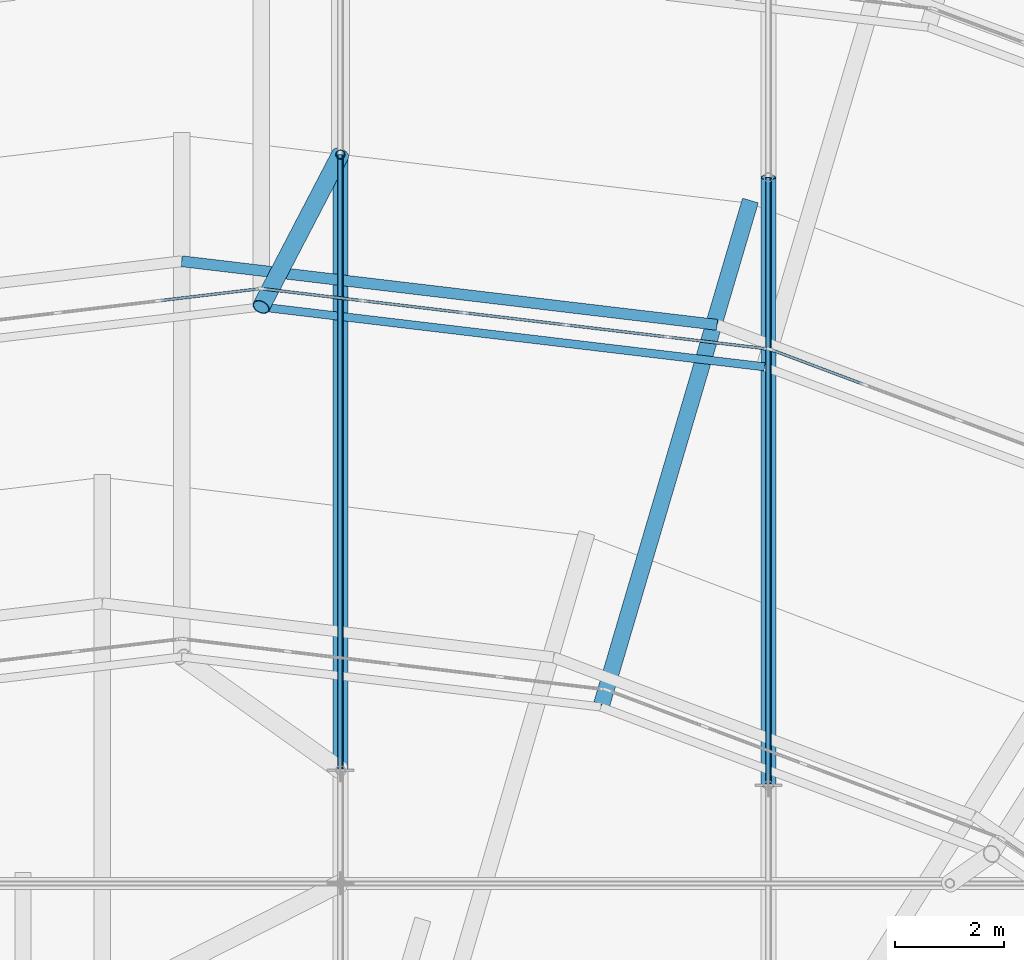
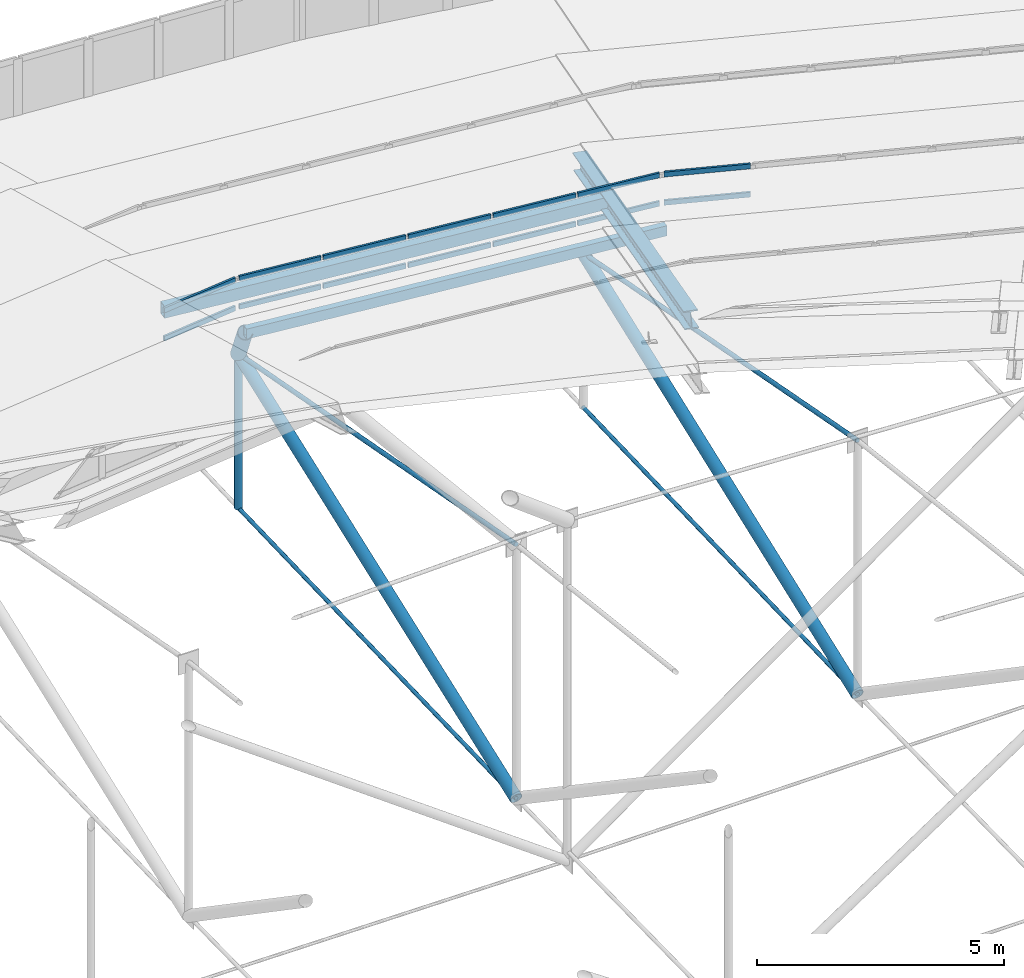
# One storey, part 112 of 173: 25 members, 3 elements without a shape of their own.
"""IFC4 building model written with IfcOpenShell, lengths in metres."""

from ifc_helpers import new_model, si_unit, direction, frame, origin, origin_2d, place, context, subcontext, project, spatial, rectangle, hollow_rectangle, circle, hollow_circle, i_section, extrude, material, material_profile, profile_set, type_object, element, aggregate, save


model = new_model("IFC4")

# Units and contexts
model_context = context("Model", 3, precision=1e-05, world=origin(), true_north=direction((0.0, 1.0)))
body_context = subcontext(model_context, "Body", "Model", "MODEL_VIEW")
ifc_project = project(units=[si_unit("LENGTHUNIT", "METRE"), si_unit("AREAUNIT", "SQUARE_METRE"), si_unit("VOLUMEUNIT", "CUBIC_METRE"), si_unit("PLANEANGLEUNIT", "RADIAN"), si_unit("MASSUNIT", "GRAM", prefix="KILO")], contexts=[model_context])

# Site, building, storey
site_placement = place(None, origin())
site = spatial("IfcSite", under=ifc_project, at=site_placement, CompositionType="ELEMENT")
building_placement = place(site_placement, origin())
building = spatial("IfcBuilding", under=site, at=building_placement, Name="Glasvene Arena", CompositionType="ELEMENT")
storey_placement = place(building_placement, frame((0.0, 0.0, 28.800048828125)))
storey = spatial("IfcBuildingStorey", under=building, at=storey_placement, Name="RF", CompositionType="ELEMENT", Elevation=28.800048828125)

# Curtain wall, members
ifc_material_1 = material(Name="Low-emissivity laminated double glazing", Category="glass")
curtain_wall_type_1 = type_object("IfcCurtainWallType", Name="CW-PET2-925x75", PredefinedType="USERDEFINED", material=ifc_material_1)
curtain_wall_1_placement = place(storey_placement, frame((108.5, 99.952392578125, 0.0)))
curtain_wall_1 = element("IfcCurtainWall", 1, at=curtain_wall_1_placement, inside=storey, type_object=curtain_wall_type_1, Name="Petal ring 2-3 clerestory curtain wall 05", ObjectType="CURTAIN WALL", PredefinedType="USERDEFINED")
ifc_material_2 = material(Name="Anodised architectural aluminium", Category="aluminium")
ifc_material_profile_1 = material_profile(ifc_material_2, rectangle(XDim=0.050048828125, YDim=0.1201171875, at=origin_2d()), Name="ALU TRANSOM 50x120")
ifc_profile_set_1 = profile_set([ifc_material_profile_1], Name="Anodised architectural aluminium")
member_type_1 = type_object("IfcMemberType", Name="CW-TRN-120", PredefinedType="USERDEFINED", material=ifc_profile_set_1)
member_1_placement = place(storey_placement, frame((101.5498046875, 102.5546875, 5.204833984375), z_axis=(-0.936504385007, 0.350655866715, 0.0), x_axis=(-0.350655866715, -0.936504385007, 0.0)))
member_1 = element("IfcMember", 2, at=member_1_placement, type_object=member_type_1, Name="CW-091 transom 5.1", ObjectType="TRANSOM", PredefinedType="USERDEFINED", context=body_context, shape_type="SweptSolid", body=[
    extrude(rectangle(XDim=0.050048828125, YDim=0.1201171875, at=origin_2d()), origin(), (0.0, 0.0, 1.0), 1.77392578125),
])
member_2_placement = place(storey_placement, frame((101.5498046875, 102.5546875, 5.905029296875), z_axis=(-0.936504385007, 0.350655866715, 0.0), x_axis=(-0.350655866715, -0.936504385007, 0.0)))
member_2 = element("IfcMember", 3, at=member_2_placement, type_object=member_type_1, Name="CW-091 transom 5.2", ObjectType="TRANSOM", PredefinedType="USERDEFINED", context=body_context, shape_type="SweptSolid", body=[
    extrude(rectangle(XDim=0.050048828125, YDim=0.1201171875, at=origin_2d()), origin(), (0.0, 0.0, 1.0), 1.77392578125),
])
aggregate(curtain_wall_1, [member_1, member_2])

curtain_wall_type_2 = type_object("IfcCurtainWallType", Name="CW-PET2-936x75", PredefinedType="USERDEFINED", material=ifc_material_1)
curtain_wall_2_placement = place(storey_placement, frame((99.841552734375, 103.1943359375, 0.0)))
curtain_wall_2 = element("IfcCurtainWall", 4, at=curtain_wall_2_placement, inside=storey, type_object=curtain_wall_type_2, Name="Petal ring 2-3 clerestory curtain wall 06", ObjectType="CURTAIN WALL", PredefinedType="USERDEFINED")
member_3_placement = place(storey_placement, frame((99.7919921875, 103.2001953125, 5.204833984375), z_axis=(-0.992986375028, 0.118228841696, 0.0), x_axis=(-0.118228841696, -0.992986375028, 0.0)))
member_3 = element("IfcMember", 5, at=member_3_placement, type_object=member_type_1, Name="CW-092 transom 1.1", ObjectType="TRANSOM", PredefinedType="USERDEFINED", context=body_context, shape_type="SweptSolid", body=[
    extrude(rectangle(XDim=0.050048828125, YDim=0.1201171875, at=origin_2d()), origin(), (0.0, 0.0, 1.0), 1.796630859375),
])
member_4_placement = place(storey_placement, frame((99.7919921875, 103.2001953125, 5.905029296875), z_axis=(-0.992986375028, 0.118228841696, 0.0), x_axis=(-0.118228841696, -0.992986375028, 0.0)))
member_4 = element("IfcMember", 6, at=member_4_placement, type_object=member_type_1, Name="CW-092 transom 1.2", ObjectType="TRANSOM", PredefinedType="USERDEFINED", context=body_context, shape_type="SweptSolid", body=[
    extrude(rectangle(XDim=0.050048828125, YDim=0.1201171875, at=origin_2d()), origin(), (0.0, 0.0, 1.0), 1.796630859375),
])
member_5_placement = place(storey_placement, frame((97.95849609375, 103.41845703125, 5.204833984375), z_axis=(-0.993002503147, 0.118093305247, 0.0), x_axis=(-0.118093305247, -0.993002503147, 0.0)))
member_5 = element("IfcMember", 7, at=member_5_placement, type_object=member_type_1, Name="CW-092 transom 2.1", ObjectType="TRANSOM", PredefinedType="USERDEFINED", context=body_context, shape_type="SweptSolid", body=[
    extrude(rectangle(XDim=0.050048828125, YDim=0.1201171875, at=origin_2d()), origin(), (0.0, 0.0, 1.0), 1.8212890625),
])
member_6_placement = place(storey_placement, frame((97.95849609375, 103.41845703125, 5.905029296875), z_axis=(-0.993002503147, 0.118093305247, 0.0), x_axis=(-0.118093305247, -0.993002503147, 0.0)))
member_6 = element("IfcMember", 8, at=member_6_placement, type_object=member_type_1, Name="CW-092 transom 2.2", ObjectType="TRANSOM", PredefinedType="USERDEFINED", context=body_context, shape_type="SweptSolid", body=[
    extrude(rectangle(XDim=0.050048828125, YDim=0.1201171875, at=origin_2d()), origin(), (0.0, 0.0, 1.0), 1.8212890625),
])
member_7_placement = place(storey_placement, frame((96.10009765625, 103.6396484375, 5.204833984375), z_axis=(-0.993002503147, 0.118093305247, 0.0), x_axis=(-0.118093305247, -0.993002503147, 0.0)))
member_7 = element("IfcMember", 9, at=member_7_placement, type_object=member_type_1, Name="CW-092 transom 3.1", ObjectType="TRANSOM", PredefinedType="USERDEFINED", context=body_context, shape_type="SweptSolid", body=[
    extrude(rectangle(XDim=0.050048828125, YDim=0.1201171875, at=origin_2d()), origin(), (0.0, 0.0, 1.0), 1.8212890625),
])
member_8_placement = place(storey_placement, frame((96.10009765625, 103.6396484375, 5.905029296875), z_axis=(-0.993002503147, 0.118093305247, 0.0), x_axis=(-0.118093305247, -0.993002503147, 0.0)))
member_8 = element("IfcMember", 10, at=member_8_placement, type_object=member_type_1, Name="CW-092 transom 3.2", ObjectType="TRANSOM", PredefinedType="USERDEFINED", context=body_context, shape_type="SweptSolid", body=[
    extrude(rectangle(XDim=0.050048828125, YDim=0.1201171875, at=origin_2d()), origin(), (0.0, 0.0, 1.0), 1.8212890625),
])
member_9_placement = place(storey_placement, frame((94.24169921875, 103.860595703125, 5.204833984375), z_axis=(-0.992986775597, 0.118225477332, 0.0), x_axis=(-0.118225477332, -0.992986775597, 0.0)))
member_9 = element("IfcMember", 11, at=member_9_placement, type_object=member_type_1, Name="CW-092 transom 4.1", ObjectType="TRANSOM", PredefinedType="USERDEFINED", context=body_context, shape_type="SweptSolid", body=[
    extrude(rectangle(XDim=0.050048828125, YDim=0.1201171875, at=origin_2d()), origin(), (0.0, 0.0, 1.0), 1.8212890625),
])
member_10_placement = place(storey_placement, frame((94.24169921875, 103.860595703125, 5.905029296875), z_axis=(-0.992986775597, 0.118225477332, 0.0), x_axis=(-0.118225477332, -0.992986775597, 0.0)))
member_10 = element("IfcMember", 12, at=member_10_placement, type_object=member_type_1, Name="CW-092 transom 4.2", ObjectType="TRANSOM", PredefinedType="USERDEFINED", context=body_context, shape_type="SweptSolid", body=[
    extrude(rectangle(XDim=0.050048828125, YDim=0.1201171875, at=origin_2d()), origin(), (0.0, 0.0, 1.0), 1.8212890625),
])
member_11_placement = place(storey_placement, frame((92.383544921875, 104.081787109375, 5.204833984375), z_axis=(-0.992986375028, 0.118228841696, 0.0), x_axis=(-0.118228841696, -0.992986375028, 0.0)))
member_11 = element("IfcMember", 13, at=member_11_placement, type_object=member_type_1, Name="CW-092 transom 5.1", ObjectType="TRANSOM", PredefinedType="USERDEFINED", context=body_context, shape_type="SweptSolid", body=[
    extrude(rectangle(XDim=0.050048828125, YDim=0.1201171875, at=origin_2d()), origin(), (0.0, 0.0, 1.0), 1.796630859375),
])
member_12_placement = place(storey_placement, frame((92.383544921875, 104.081787109375, 5.905029296875), z_axis=(-0.992986375028, 0.118228841696, 0.0), x_axis=(-0.118228841696, -0.992986375028, 0.0)))
member_12 = element("IfcMember", 14, at=member_12_placement, type_object=member_type_1, Name="CW-092 transom 5.2", ObjectType="TRANSOM", PredefinedType="USERDEFINED", context=body_context, shape_type="SweptSolid", body=[
    extrude(rectangle(XDim=0.050048828125, YDim=0.1201171875, at=origin_2d()), origin(), (0.0, 0.0, 1.0), 1.796630859375),
])
aggregate(curtain_wall_2, [member_3, member_4, member_5, member_6, member_7, member_8, member_9, member_10, member_11, member_12])

curtain_wall_3_placement = place(storey_placement, frame((90.550048828125, 104.300048828125, 0.0)))
curtain_wall_3 = element("IfcCurtainWall", 15, at=curtain_wall_3_placement, inside=storey, type_object=curtain_wall_type_2, Name="Petal ring 2-3 clerestory curtain wall 07", ObjectType="CURTAIN WALL", PredefinedType="USERDEFINED")
member_13_placement = place(storey_placement, frame((90.500244140625, 104.294189453125, 5.204833984375), z_axis=(-0.992984475092, -0.118244797883, 0.0), x_axis=(0.118244797883, -0.992984475092, 0.0)))
member_13 = element("IfcMember", 16, at=member_13_placement, type_object=member_type_1, Name="CW-092 transom 1.1", ObjectType="TRANSOM", PredefinedType="USERDEFINED", context=body_context, shape_type="SweptSolid", body=[
    extrude(rectangle(XDim=0.050048828125, YDim=0.1201171875, at=origin_2d()), origin(), (0.0, 0.0, 1.0), 1.79638671875),
])
member_14_placement = place(storey_placement, frame((90.500244140625, 104.294189453125, 5.905029296875), z_axis=(-0.992984475092, -0.118244797883, 0.0), x_axis=(0.118244797883, -0.992984475092, 0.0)))
member_14 = element("IfcMember", 17, at=member_14_placement, type_object=member_type_1, Name="CW-092 transom 1.2", ObjectType="TRANSOM", PredefinedType="USERDEFINED", context=body_context, shape_type="SweptSolid", body=[
    extrude(rectangle(XDim=0.050048828125, YDim=0.1201171875, at=origin_2d()), origin(), (0.0, 0.0, 1.0), 1.79638671875),
])
aggregate(curtain_wall_3, [member_13, member_14])

# Members
ifc_material_3 = material(Name="High-strength steel spiral strand S460", Category="steel")
ifc_material_profile_2 = material_profile(ifc_material_3, circle(Radius=0.052490234375, at=origin_2d()), Name="LCSS D105")
ifc_profile_set_2 = profile_set([ifc_material_profile_2], Name="High-strength steel spiral strand S460")
member_type_2 = type_object("IfcMemberType", Name="MB-CABLE-105", PredefinedType="USERDEFINED", material=ifc_profile_set_2)
member_15_placement = place(storey_placement, frame((99.82177734375, 95.222900390625, 4.1669921875), z_axis=(0.0, 0.982509343257, -0.186213292794), x_axis=(-1.0, 0.0, 0.0)))
element("IfcMember", 18, at=member_15_placement, inside=storey, type_object=member_type_2, Name="Upper lens roof cable NS04-07", ObjectType="ROOF CABLE", PredefinedType="USERDEFINED", context=body_context, shape_type="SweptSolid", body=[
    extrude(circle(Radius=0.052490234375, at=origin_2d()), origin(), (0.0, 0.0, 1.0), 11.309326171875),
])
member_16_placement = place(storey_placement, frame((92.0, 95.5, 4.1669921875), z_axis=(0.0, 0.982926236449, -0.184000037231), x_axis=(-1.0, 0.0, 0.0)))
element("IfcMember", 19, at=member_16_placement, inside=storey, type_object=member_type_2, Name="Upper lens roof cable NS05-07", ObjectType="ROOF CABLE", PredefinedType="USERDEFINED", context=body_context, shape_type="SweptSolid", body=[
    extrude(circle(Radius=0.052490234375, at=origin_2d()), origin(), (0.0, 0.0, 1.0), 11.4453125),
])
ifc_material_profile_3 = material_profile(ifc_material_3, circle(Radius=0.044921875, at=origin_2d()), Name="LCSS D90")
ifc_profile_set_3 = profile_set([ifc_material_profile_3], Name="High-strength steel spiral strand S460")
member_type_3 = type_object("IfcMemberType", Name="MB-CABLE-90", PredefinedType="USERDEFINED", material=ifc_profile_set_3)
member_17_placement = place(storey_placement, frame((99.82177734375, 95.222900390625, -2.112548828125), z_axis=(0.0, 0.999477394294, 0.032325505337), x_axis=(-1.0, 0.0, 0.0)))
element("IfcMember", 20, at=member_17_placement, inside=storey, type_object=member_type_3, Name="Lower stabilization roof cable NS04-07", ObjectType="ROOF CABLE", PredefinedType="USERDEFINED", context=body_context, shape_type="SweptSolid", body=[
    extrude(circle(Radius=0.044921875, at=origin_2d()), origin(), (0.0, 0.0, 1.0), 11.117431640625),
])
member_18_placement = place(storey_placement, frame((92.0, 95.5, -2.112548828125), z_axis=(0.0, 0.999490166395, 0.031928158093), x_axis=(-1.0, 0.0, 0.0)))
element("IfcMember", 21, at=member_18_placement, inside=storey, type_object=member_type_3, Name="Lower stabilization roof cable NS05-07", ObjectType="ROOF CABLE", PredefinedType="USERDEFINED", context=body_context, shape_type="SweptSolid", body=[
    extrude(circle(Radius=0.044921875, at=origin_2d()), origin(), (0.0, 0.0, 1.0), 11.255859375),
])
ifc_material_4 = material(Name="Steel S355J2", Category="steel")
ifc_material_profile_4 = material_profile(ifc_material_4, i_section(OverallWidth=0.300048828125, OverallDepth=0.39990234375, WebThickness=0.013427734375, FlangeThickness=0.02392578125, FilletRadius=0.027099609375, at=origin_2d()), Name="HEB 400")
ifc_profile_set_4 = profile_set([ifc_material_profile_4], Name="Steel S355J2")
member_type_4 = type_object("IfcMemberType", Name="MB-CHORD-HEB400", PredefinedType="CHORD", material=ifc_profile_set_4)
member_19_placement = place(storey_placement, frame((99.478515625, 105.859619140625, 4.75), z_axis=(-0.273259819694, -0.925734843306, 0.261426989482), x_axis=(0.959088832468, -0.283105300968, 0.0)))
element("IfcMember", 22, at=member_19_placement, inside=storey, type_object=member_type_4, Name="Petal ring 3 radial rib 06", PredefinedType="CHORD", context=body_context, shape_type="SweptSolid", body=[
    extrude(i_section(OverallWidth=0.300048828125, OverallDepth=0.39990234375, WebThickness=0.013427734375, FlangeThickness=0.02392578125, FilletRadius=0.027099609375, at=origin_2d()), origin(), (0.0, 0.0, 1.0), 9.94482421875),
])
ifc_material_profile_5 = material_profile(ifc_material_4, hollow_circle(Radius=0.161865234375, WallThickness=0.01611328125, at=origin_2d()), Name="CHS 323.9x16.0")
ifc_profile_set_5 = profile_set([ifc_material_profile_5], Name="Steel S355J2")
member_type_5 = type_object("IfcMemberType", Name="MB-POST-CHS324", PredefinedType="BRACE", material=ifc_profile_set_5)
member_20_placement = place(storey_placement, frame((92.0, 106.75, 2.06103515625), z_axis=(-0.348961920206, -0.670366483857, 0.654854453728), x_axis=(0.887015593061, -0.46173946947, 0.0)))
element("IfcMember", 23, at=member_20_placement, inside=storey, type_object=member_type_5, Name="Petal ring 2 ridge support post 07", PredefinedType="BRACE", context=body_context, shape_type="SweptSolid", body=[
    extrude(hollow_circle(Radius=0.161865234375, WallThickness=0.01611328125, at=origin_2d()), origin(), (0.0, 0.0, 1.0), 4.155029296875),
])
ifc_material_profile_6 = material_profile(ifc_material_4, hollow_rectangle(XDim=0.14990234375, YDim=0.25, WallThickness=0.010009765625, at=origin_2d()), Name="RHS 250x150x10.0")
ifc_profile_set_6 = profile_set([ifc_material_profile_6], Name="Steel S355J2")
member_type_6 = type_object("IfcMemberType", Name="MB-PURLIN-RHS250", PredefinedType="PURLIN", material=ifc_profile_set_6)
member_21_placement = place(storey_placement, frame((99.7509765625, 102.870361328125, 4.781982421875), z_axis=(-0.993002332555, 0.118094739685, 0.0), x_axis=(-0.118094739685, -0.993002332555, 0.0)))
element("IfcMember", 24, at=member_21_placement, inside=storey, type_object=member_type_6, Name="Petal ring 2 ridge purlin 06", PredefinedType="PURLIN", context=body_context, shape_type="SweptSolid", body=[
    extrude(hollow_rectangle(XDim=0.14990234375, YDim=0.25, WallThickness=0.010009765625, at=origin_2d()), origin(), (0.0, 0.0, 1.0), 9.265869140625),
])
ifc_material_profile_7 = material_profile(ifc_material_4, hollow_rectangle(XDim=0.199951171875, YDim=0.300048828125, WallThickness=0.012451171875, at=origin_2d()), Name="RHS 300x200x12.5")
ifc_profile_set_7 = profile_set([ifc_material_profile_7], Name="Steel S355J2")
member_type_7 = type_object("IfcMemberType", Name="MB-PURLIN-RHS300", PredefinedType="PURLIN", material=ifc_profile_set_7)
member_22_placement = place(storey_placement, frame((98.88330078125, 103.63818359375, 5.33935546875), z_axis=(-0.993021617526, 0.117932468502, 0.0), x_axis=(-0.117932468502, -0.993021617526, 0.0)))
element("IfcMember", 25, at=member_22_placement, inside=storey, type_object=member_type_7, Name="Petal ring 3 outer purlin 06", PredefinedType="PURLIN", context=body_context, shape_type="SweptSolid", body=[
    extrude(hollow_rectangle(XDim=0.199951171875, YDim=0.300048828125, WallThickness=0.012451171875, at=origin_2d()), origin(), (0.0, 0.0, 1.0), 9.85205078125),
])
ifc_material_profile_8 = material_profile(ifc_material_4, hollow_circle(Radius=0.084228515625, WallThickness=0.008056640625, at=origin_2d()), Name="CHS 168.3x8.0")
ifc_profile_set_8 = profile_set([ifc_material_profile_8], Name="Steel S355J2")
member_type_8 = type_object("IfcMemberType", Name="MB-WEB-CHS168", PredefinedType="BRACE", material=ifc_profile_set_8)
member_23_placement = place(storey_placement, frame((92.0, 106.75, -1.753173828125), z_axis=(0.0, 0.0, 1.0), x_axis=(1.0, 0.0, 0.0)))
element("IfcMember", 26, at=member_23_placement, inside=storey, type_object=member_type_8, Name="Cable-truss vertical strut NS05-07", PredefinedType="BRACE", context=body_context, shape_type="SweptSolid", body=[
    extrude(hollow_circle(Radius=0.084228515625, WallThickness=0.008056640625, at=origin_2d()), origin(), (0.0, 0.0, 1.0), 3.814208984375),
])
ifc_material_profile_9 = material_profile(ifc_material_4, hollow_circle(Radius=0.136474609375, WallThickness=0.012451171875, at=origin_2d()), Name="CHS 273.0x12.5")
ifc_profile_set_9 = profile_set([ifc_material_profile_9], Name="Steel S355J2")
member_type_9 = type_object("IfcMemberType", Name="MB-WEB-CHS273", PredefinedType="BRACE", material=ifc_profile_set_9)
member_24_placement = place(storey_placement, frame((99.82177734375, 95.222900390625, -2.112548828125), z_axis=(0.0, 0.936142236374, 0.351621548367), x_axis=(-1.0, 0.0, 0.0)))
element("IfcMember", 27, at=member_24_placement, inside=storey, type_object=member_type_9, Name="Cable-truss diagonal web strut NS04-07", PredefinedType="BRACE", context=body_context, shape_type="SweptSolid", body=[
    extrude(hollow_circle(Radius=0.136474609375, WallThickness=0.012451171875, at=origin_2d()), origin(), (0.0, 0.0, 1.0), 11.86962890625),
])
member_25_placement = place(storey_placement, frame((92.0, 95.5, -2.112548828125), z_axis=(0.0, 0.937560867664, 0.34782124637), x_axis=(-1.0, 0.0, 0.0)))
element("IfcMember", 28, at=member_25_placement, inside=storey, type_object=member_type_9, Name="Cable-truss diagonal web strut NS05-07", PredefinedType="BRACE", context=body_context, shape_type="SweptSolid", body=[
    extrude(hollow_circle(Radius=0.136474609375, WallThickness=0.012451171875, at=origin_2d()), origin(), (0.0, 0.0, 1.0), 11.999267578125),
])

save(model, "model.ifc")
